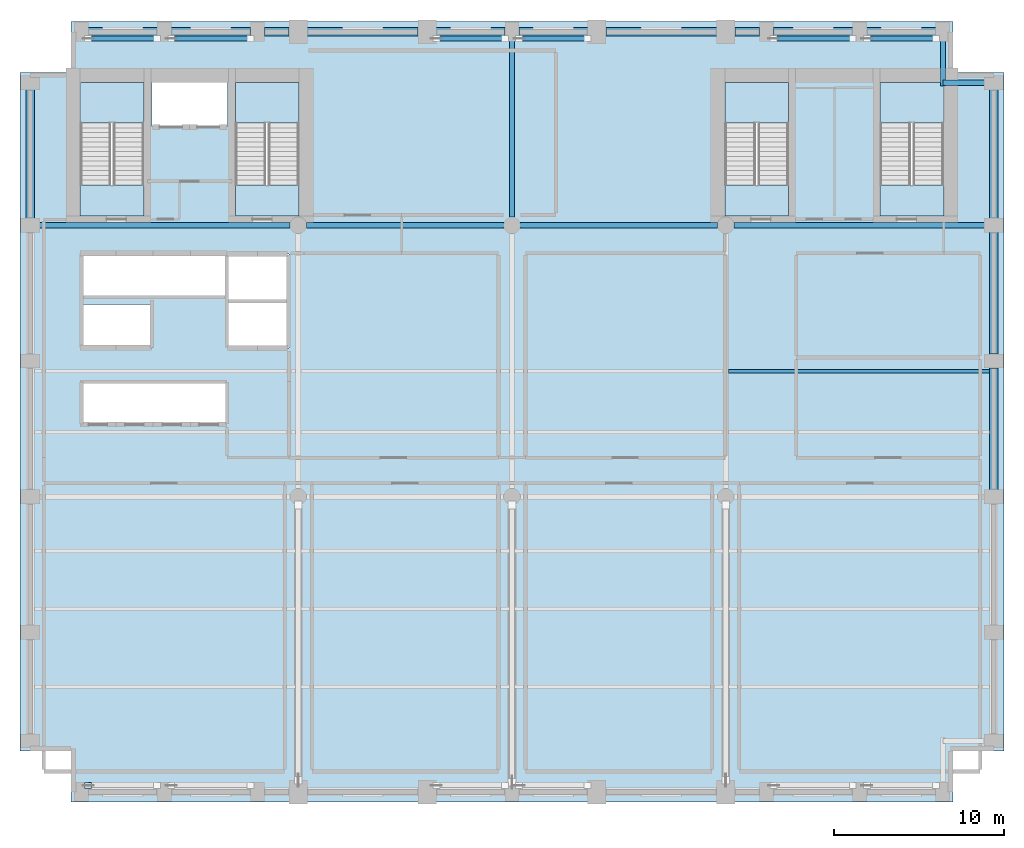
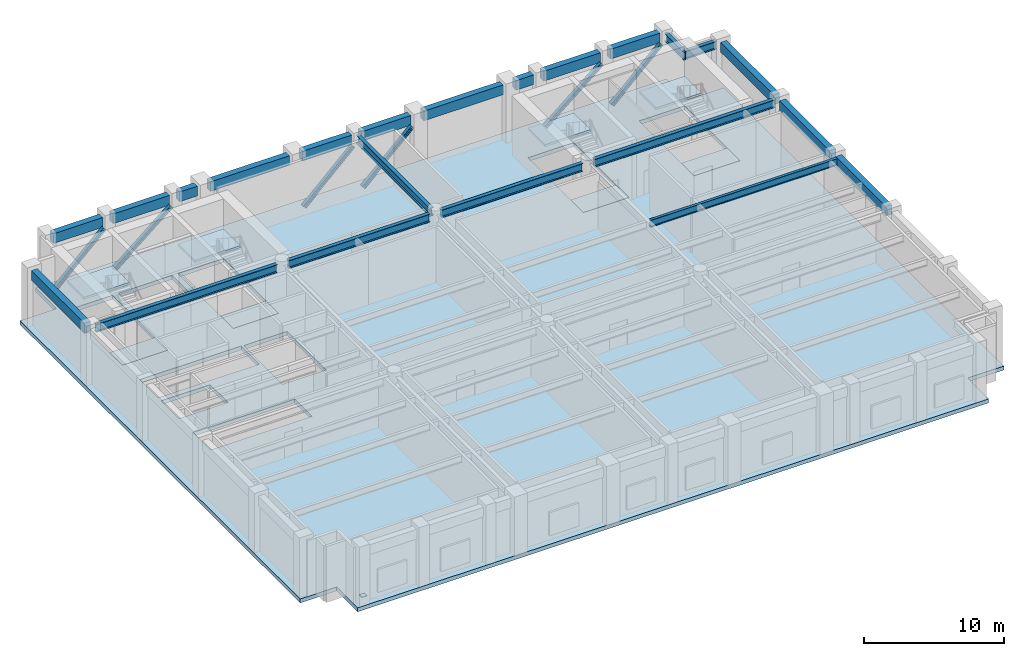
# One storey, part 2 of 11: 22 beams, 9 slabs, 6 members, 1 plate, 4 elements without a shape of their own.
"""IFC4 building model written with IfcOpenShell, lengths in metres."""

from ifc_helpers import new_model, si_unit, direction, frame, origin, origin_2d, place, context, subcontext, project, spatial, polyline, rectangle, i_section, outline, extrude, material, layer, layer_set, material_profile, profile_set, type_object, element, aggregate, save


model = new_model("IFC4")

# Units and contexts
model_context = context("Model", 3, precision=1e-05, world=origin(), true_north=direction((0.0, 1.0)))
body_context = subcontext(model_context, "Body", "Model", "MODEL_VIEW")
ifc_project = project(units=[si_unit("LENGTHUNIT", "METRE"), si_unit("AREAUNIT", "SQUARE_METRE"), si_unit("VOLUMEUNIT", "CUBIC_METRE"), si_unit("PLANEANGLEUNIT", "RADIAN"), si_unit("MASSUNIT", "GRAM", prefix="KILO")], contexts=[model_context])

# Site, building, storey
site_placement = place(None, origin())
site = spatial("IfcSite", under=ifc_project, at=site_placement, CompositionType="ELEMENT")
building_placement = place(site_placement, origin())
building = spatial("IfcBuilding", under=site, at=building_placement, Name="Sulina Concourse Tower", CompositionType="ELEMENT")
storey_placement = place(building_placement, frame((0.0, 0.0, 82.60009765625)))
storey = spatial("IfcBuildingStorey", under=building, at=storey_placement, Name="L20", CompositionType="ELEMENT", Elevation=82.60009765625)

# Beams
ifc_material_1 = material(Name="Steel S355", Category="steel")
ifc_material_profile_1 = material_profile(ifc_material_1, i_section(OverallWidth=0.219970703125, OverallDepth=0.60009765625, WebThickness=0.011962890625, FlangeThickness=0.01904296875, at=origin_2d()), Name="IPE 600")
ifc_profile_set_1 = profile_set([ifc_material_profile_1], Name="Steel S355")
beam_type_1 = type_object("IfcBeamType", Name="Composite Floor Joist IPE600", PredefinedType="JOIST", material=ifc_profile_set_1)
beam_1_placement = place(storey_placement, frame((41.75, 25.39990234375, 4.559814453125), z_axis=(1.0, 0.0, 0.0), x_axis=(0.0, 1.0, 0.0)))
element("IfcBeam", 1, at=beam_1_placement, inside=storey, type_object=beam_type_1, Name="FJ-J25-4-L20", PredefinedType="JOIST", context=body_context, shape_type="SweptSolid", body=[
    extrude(i_section(OverallWidth=0.219970703125, OverallDepth=0.60009765625, WebThickness=0.011962890625, FlangeThickness=0.01904296875, at=origin_2d()), origin(), (0.0, 0.0, 1.0), 15.39990234375),
])
ifc_material_2 = material(Name="Steel S355", Category="steel")
ifc_material_profile_2 = material_profile(ifc_material_2, i_section(OverallWidth=0.300048828125, OverallDepth=0.699951171875, WebThickness=0.01708984375, FlangeThickness=0.031982421875, at=origin_2d()), Name="HE 700 B")
ifc_profile_set_2 = profile_set([ifc_material_profile_2], Name="Steel S355")
beam_type_2 = type_object("IfcBeamType", Name="Floor Primary Girder Zone 1 HE700B", PredefinedType="BEAM", material=ifc_profile_set_2)
beam_2_placement = place(storey_placement, frame((54.39990234375, 42.39990234375, 4.510009765625), z_axis=(1.0, 0.0, 0.0), x_axis=(0.0, 1.0, 0.0)))
element("IfcBeam", 2, at=beam_2_placement, inside=storey, type_object=beam_type_2, Name="TIE-NE-L20", PredefinedType="BEAM", context=body_context, shape_type="SweptSolid", body=[
    extrude(i_section(OverallWidth=0.300048828125, OverallDepth=0.699951171875, WebThickness=0.01708984375, FlangeThickness=0.031982421875, at=origin_2d()), origin(), (0.0, 0.0, 1.0), 2.59521484375),
])
beam_3_placement = place(storey_placement, frame((54.39990234375, 42.199951171875, 4.510009765625), z_axis=(0.0, 1.0, 0.0), x_axis=(-1.0, 0.0, 0.0)))
element("IfcBeam", 3, at=beam_3_placement, inside=storey, type_object=beam_type_2, Name="TIE-NEN-L20", PredefinedType="BEAM", context=body_context, shape_type="SweptSolid", body=[
    extrude(i_section(OverallWidth=0.300048828125, OverallDepth=0.699951171875, WebThickness=0.01708984375, FlangeThickness=0.031982421875, at=origin_2d()), origin(), (0.0, 0.0, 1.0), 2.795166015625),
])
beam_4_placement = place(storey_placement, frame((1.0048828125, 34.0, 4.510009765625), z_axis=(1.0, 0.0, 0.0), x_axis=(0.0, 1.0, 0.0)))
element("IfcBeam", 4, at=beam_4_placement, inside=storey, type_object=beam_type_2, Name="FG-EWN1-L20", PredefinedType="BEAM", context=body_context, shape_type="SweptSolid", body=[
    extrude(i_section(OverallWidth=0.300048828125, OverallDepth=0.699951171875, WebThickness=0.01708984375, FlangeThickness=0.031982421875, at=origin_2d()), origin(), (0.0, 0.0, 1.0), 14.9150390625),
])
for number, where, z_axis, x_axis, name in (
    (5, (16.8798828125, 34.0, 4.510009765625), (1.0, 0.0, 0.0), (0.0, 1.0, 0.0), "FG-EWN2-L20"),
    (6, (29.47998046875, 34.0, 4.510009765625), (1.0, 0.0, 0.0), (0.0, 1.0, 0.0), "FG-EWN3-L20"),
):
    element("IfcBeam", number, at=place(storey_placement, frame(where, z_axis=z_axis, x_axis=x_axis)), inside=storey, type_object=beam_type_2, Name=name, PredefinedType="BEAM", context=body_context, shape_type="SweptSolid", body=[
        extrude(i_section(OverallWidth=0.300048828125, OverallDepth=0.699951171875, WebThickness=0.01708984375, FlangeThickness=0.031982421875, at=origin_2d()), origin(), (0.0, 0.0, 1.0), 11.64013671875),
    ])
beam_5_placement = place(storey_placement, frame((42.080078125, 34.0, 4.510009765625), z_axis=(1.0, 0.0, 0.0), x_axis=(0.0, 1.0, 0.0)))
element("IfcBeam", 7, at=beam_5_placement, inside=storey, type_object=beam_type_2, Name="FG-EWN4-L20", PredefinedType="BEAM", context=body_context, shape_type="SweptSolid", body=[
    extrude(i_section(OverallWidth=0.300048828125, OverallDepth=0.699951171875, WebThickness=0.01708984375, FlangeThickness=0.031982421875, at=origin_2d()), origin(), (0.0, 0.0, 1.0), 14.9150390625),
])
beam_6_placement = place(storey_placement, frame((29.0, 34.47998046875, 4.510009765625), z_axis=(0.0, 1.0, 0.0), x_axis=(-1.0, 0.0, 0.0)))
element("IfcBeam", 8, at=beam_6_placement, inside=storey, type_object=beam_type_2, Name="FG-NSC-29-L20", PredefinedType="BEAM", context=body_context, shape_type="SweptSolid", body=[
    extrude(i_section(OverallWidth=0.300048828125, OverallDepth=0.699951171875, WebThickness=0.01708984375, FlangeThickness=0.031982421875, at=origin_2d()), origin(), (0.0, 0.0, 1.0), 10.51513671875),
])
ifc_material_3 = material(Name="Precast concrete C50/60", Category="concrete")
ifc_material_profile_3 = material_profile(ifc_material_3, rectangle(XDim=0.5, YDim=0.85009765625, at=origin_2d()), Name="RC 500x850")
ifc_profile_set_3 = profile_set([ifc_material_profile_3], Name="Precast concrete C50/60")
beam_type_3 = type_object("IfcBeamType", Name="Lower Precast Spandrel Edge Beam 500x850", PredefinedType="BEAM", material=ifc_profile_set_3)
beam_7_placement = place(storey_placement, frame((4.0048828125, 45.39990234375, 4.434814453125), z_axis=(1.0, 0.0, 0.0), x_axis=(0.0, 1.0, 0.0)))
element("IfcBeam", 9, at=beam_7_placement, inside=storey, type_object=beam_type_3, Name="SP-N1-L20", PredefinedType="BEAM", context=body_context, shape_type="SweptSolid", body=[
    extrude(rectangle(XDim=0.5, YDim=0.85009765625, at=origin_2d()), origin(), (0.0, 0.0, 1.0), 4.090087890625),
])
beam_8_placement = place(storey_placement, frame((8.905029296875, 45.39990234375, 4.434814453125), z_axis=(1.0, 0.0, 0.0), x_axis=(0.0, 1.0, 0.0)))
element("IfcBeam", 10, at=beam_8_placement, inside=storey, type_object=beam_type_3, Name="SP-N2-L20", PredefinedType="BEAM", context=body_context, shape_type="SweptSolid", body=[
    extrude(rectangle(XDim=0.5, YDim=0.85009765625, at=origin_2d()), origin(), (0.0, 0.0, 1.0), 4.68994140625),
])
beam_9_placement = place(storey_placement, frame((14.405029296875, 45.39990234375, 4.434814453125), z_axis=(1.0, 0.0, 0.0), x_axis=(0.0, 1.0, 0.0)))
element("IfcBeam", 11, at=beam_9_placement, inside=storey, type_object=beam_type_3, Name="SP-N3-L20", PredefinedType="BEAM", context=body_context, shape_type="SweptSolid", body=[
    extrude(rectangle(XDim=0.5, YDim=0.85009765625, at=origin_2d()), origin(), (0.0, 0.0, 1.0), 1.465087890625),
])
beam_10_placement = place(storey_placement, frame((16.929931640625, 45.39990234375, 4.434814453125), z_axis=(1.0, 0.0, 0.0), x_axis=(0.0, 1.0, 0.0)))
element("IfcBeam", 12, at=beam_10_placement, inside=storey, type_object=beam_type_3, Name="SP-N4-L20", PredefinedType="BEAM", context=body_context, shape_type="SweptSolid", body=[
    extrude(rectangle(XDim=0.5, YDim=0.85009765625, at=origin_2d()), origin(), (0.0, 0.0, 1.0), 6.5400390625),
])
for number, where, z_axis, x_axis, name in (
    (13, (24.530029296875, 45.39990234375, 4.434814453125), (1.0, 0.0, 0.0), (0.0, 1.0, 0.0), "SP-N5-L20"),
    (14, (29.405029296875, 45.39990234375, 4.434814453125), (1.0, 0.0, 0.0), (0.0, 1.0, 0.0), "SP-N6-L20"),
):
    element("IfcBeam", number, at=place(storey_placement, frame(where, z_axis=z_axis, x_axis=x_axis)), inside=storey, type_object=beam_type_3, Name=name, PredefinedType="BEAM", context=body_context, shape_type="SweptSolid", body=[
        extrude(rectangle(XDim=0.5, YDim=0.85009765625, at=origin_2d()), origin(), (0.0, 0.0, 1.0), 4.06494140625),
    ])
beam_11_placement = place(storey_placement, frame((34.530029296875, 45.39990234375, 4.434814453125), z_axis=(1.0, 0.0, 0.0), x_axis=(0.0, 1.0, 0.0)))
element("IfcBeam", 15, at=beam_11_placement, inside=storey, type_object=beam_type_3, Name="SP-N7-L20", PredefinedType="BEAM", context=body_context, shape_type="SweptSolid", body=[
    extrude(rectangle(XDim=0.5, YDim=0.85009765625, at=origin_2d()), origin(), (0.0, 0.0, 1.0), 6.5400390625),
])
beam_12_placement = place(storey_placement, frame((42.1298828125, 45.39990234375, 4.434814453125), z_axis=(1.0, 0.0, 0.0), x_axis=(0.0, 1.0, 0.0)))
element("IfcBeam", 16, at=beam_12_placement, inside=storey, type_object=beam_type_3, Name="SP-N8-L20", PredefinedType="BEAM", context=body_context, shape_type="SweptSolid", body=[
    extrude(rectangle(XDim=0.5, YDim=0.85009765625, at=origin_2d()), origin(), (0.0, 0.0, 1.0), 1.465087890625),
])
beam_13_placement = place(storey_placement, frame((44.405029296875, 45.39990234375, 4.434814453125), z_axis=(1.0, 0.0, 0.0), x_axis=(0.0, 1.0, 0.0)))
element("IfcBeam", 17, at=beam_13_placement, inside=storey, type_object=beam_type_3, Name="SP-N9-L20", PredefinedType="BEAM", context=body_context, shape_type="SweptSolid", body=[
    extrude(rectangle(XDim=0.5, YDim=0.85009765625, at=origin_2d()), origin(), (0.0, 0.0, 1.0), 4.68994140625),
])
beam_14_placement = place(storey_placement, frame((49.905029296875, 45.39990234375, 4.434814453125), z_axis=(1.0, 0.0, 0.0), x_axis=(0.0, 1.0, 0.0)))
element("IfcBeam", 18, at=beam_14_placement, inside=storey, type_object=beam_type_3, Name="SP-N10-L20", PredefinedType="BEAM", context=body_context, shape_type="SweptSolid", body=[
    extrude(rectangle(XDim=0.5, YDim=0.85009765625, at=origin_2d()), origin(), (0.0, 0.0, 1.0), 4.090087890625),
])
beam_15_placement = place(storey_placement, frame((0.60009765625, 34.405029296875, 4.434814453125), z_axis=(0.0, 1.0, 0.0), x_axis=(-1.0, 0.0, 0.0)))
element("IfcBeam", 19, at=beam_15_placement, inside=storey, type_object=beam_type_3, Name="SP-W5-L20", PredefinedType="BEAM", context=body_context, shape_type="SweptSolid", body=[
    extrude(rectangle(XDim=0.5, YDim=0.85009765625, at=origin_2d()), origin(), (0.0, 0.0, 1.0), 7.590087890625),
])
for number, where, z_axis, x_axis, name in (
    (20, (57.39990234375, 18.405029296875, 4.434814453125), (0.0, 1.0, 0.0), (-1.0, 0.0, 0.0), "SP-E3-L20"),
    (21, (57.39990234375, 26.405029296875, 4.434814453125), (0.0, 1.0, 0.0), (-1.0, 0.0, 0.0), "SP-E4-L20"),
):
    element("IfcBeam", number, at=place(storey_placement, frame(where, z_axis=z_axis, x_axis=x_axis)), inside=storey, type_object=beam_type_3, Name=name, PredefinedType="BEAM", context=body_context, shape_type="SweptSolid", body=[
        extrude(rectangle(XDim=0.5, YDim=0.85009765625, at=origin_2d()), origin(), (0.0, 0.0, 1.0), 7.18994140625),
    ])
beam_16_placement = place(storey_placement, frame((57.39990234375, 34.405029296875, 4.434814453125), z_axis=(0.0, 1.0, 0.0), x_axis=(-1.0, 0.0, 0.0)))
element("IfcBeam", 22, at=beam_16_placement, inside=storey, type_object=beam_type_3, Name="SP-E5-L20", PredefinedType="BEAM", context=body_context, shape_type="SweptSolid", body=[
    extrude(rectangle(XDim=0.5, YDim=0.85009765625, at=origin_2d()), origin(), (0.0, 0.0, 1.0), 7.590087890625),
])

# Members
ifc_material_4 = material(Name="Steel S355", Category="steel")
ifc_material_profile_4 = material_profile(ifc_material_4, i_section(OverallWidth=0.300048828125, OverallDepth=0.320068359375, WebThickness=0.011474609375, FlangeThickness=0.0205078125, at=origin_2d()), Name="HE 320 B")
ifc_profile_set_4 = profile_set([ifc_material_profile_4], Name="Steel S355")
member_type = type_object("IfcMemberType", Name="Plant Belt Brace HE320B", PredefinedType="BRACE", material=ifc_profile_set_4)
member_1_placement = place(storey_placement, frame((4.014892578125, 45.02001953125, 0.14990234375), z_axis=(0.724683530795, 0.0, 0.689081838532), x_axis=(0.0, 1.0, 0.0)))
element("IfcMember", 23, at=member_1_placement, inside=storey, type_object=member_type, Name="BLT-N1-L20", PredefinedType="BRACE", context=body_context, shape_type="SweptSolid", body=[
    extrude(i_section(OverallWidth=0.300048828125, OverallDepth=0.320068359375, WebThickness=0.011474609375, FlangeThickness=0.0205078125, at=origin_2d()), origin(), (0.0, 0.0, 1.0), 5.616455078125),
])
member_2_placement = place(storey_placement, frame((8.9150390625, 45.02001953125, 0.14990234375), z_axis=(0.769960534835, 0.0, 0.638091509735), x_axis=(0.0, 1.0, 0.0)))
element("IfcMember", 24, at=member_2_placement, inside=storey, type_object=member_type, Name="BLT-N2-L20", PredefinedType="BRACE", context=body_context, shape_type="SweptSolid", body=[
    extrude(i_section(OverallWidth=0.300048828125, OverallDepth=0.320068359375, WebThickness=0.011474609375, FlangeThickness=0.0205078125, at=origin_2d()), origin(), (0.0, 0.0, 1.0), 6.065185546875),
])
for number, where, z_axis, x_axis, name in (
    (25, (24.5400390625, 45.02001953125, 0.14990234375), (0.72254713742, 0.0, 0.691321657556), (0.0, 1.0, 0.0), "BLT-N3-L20"),
    (26, (29.4150390625, 45.02001953125, 0.14990234375), (0.72254713742, 0.0, 0.691321657556), (0.0, 1.0, 0.0), "BLT-N4-L20"),
):
    element("IfcMember", number, at=place(storey_placement, frame(where, z_axis=z_axis, x_axis=x_axis)), inside=storey, type_object=member_type, Name=name, PredefinedType="BRACE", context=body_context, shape_type="SweptSolid", body=[
        extrude(i_section(OverallWidth=0.300048828125, OverallDepth=0.320068359375, WebThickness=0.011474609375, FlangeThickness=0.0205078125, at=origin_2d()), origin(), (0.0, 0.0, 1.0), 5.59814453125),
    ])
member_3_placement = place(storey_placement, frame((44.4150390625, 45.02001953125, 0.14990234375), z_axis=(0.769960534835, 0.0, 0.638091509735), x_axis=(0.0, 1.0, 0.0)))
element("IfcMember", 27, at=member_3_placement, inside=storey, type_object=member_type, Name="BLT-N5-L20", PredefinedType="BRACE", context=body_context, shape_type="SweptSolid", body=[
    extrude(i_section(OverallWidth=0.300048828125, OverallDepth=0.320068359375, WebThickness=0.011474609375, FlangeThickness=0.0205078125, at=origin_2d()), origin(), (0.0, 0.0, 1.0), 6.065185546875),
])
member_4_placement = place(storey_placement, frame((49.9150390625, 45.02001953125, 0.14990234375), z_axis=(0.724683530795, 0.0, 0.689081838532), x_axis=(0.0, 1.0, 0.0)))
element("IfcMember", 28, at=member_4_placement, inside=storey, type_object=member_type, Name="BLT-N6-L20", PredefinedType="BRACE", context=body_context, shape_type="SweptSolid", body=[
    extrude(i_section(OverallWidth=0.300048828125, OverallDepth=0.320068359375, WebThickness=0.011474609375, FlangeThickness=0.0205078125, at=origin_2d()), origin(), (0.0, 0.0, 1.0), 5.616455078125),
])

# Slabs
ifc_material_5 = material(Name="Concrete C60/75", Category="concrete")
ifc_layer_1 = layer(ifc_material_5, 0.340087890625)
ifc_layer_set_1 = layer_set([ifc_layer_1], Name="Concrete C60/75")
slab_type_1 = type_object("IfcSlabType", Name="Mechanical Plant & Sky-Lobby Slab 340mm", PredefinedType="FLOOR", material=ifc_layer_set_1)
slab_1_placement = place(storey_placement, frame((0.0, 0.0, -0.340087890625)))
element("IfcSlab", 29, at=slab_1_placement, inside=storey, type_object=slab_type_1, Name="L20 structural floor slab", PredefinedType="FLOOR", context=body_context, shape_type="SweptSolid", body=[
    extrude(outline(polyline([(3.0, 0.0), (55.0, 0.0), (55.0, 3.0), (58.0, 3.0), (58.0, 43.0), (55.0, 43.0), (55.0, 46.0), (3.0, 46.0), (3.0, 43.0), (0.0, 43.0), (0.0, 3.0), (3.0, 3.0), (3.0, 0.0)]), holes=[polyline([(7.31005859375, 34.550048828125), (7.31005859375, 42.429931640625), (3.550048828125, 42.429931640625), (3.550048828125, 34.550048828125), (7.31005859375, 34.550048828125)]), polyline([(16.449951171875, 34.550048828125), (16.449951171875, 42.429931640625), (12.68994140625, 42.429931640625), (12.68994140625, 34.550048828125), (16.449951171875, 34.550048828125)]), polyline([(45.31005859375, 34.550048828125), (45.31005859375, 42.429931640625), (41.550048828125, 42.429931640625), (41.550048828125, 34.550048828125), (45.31005859375, 34.550048828125)]), polyline([(54.449951171875, 34.550048828125), (54.449951171875, 42.429931640625), (50.68994140625, 42.429931640625), (50.68994140625, 34.550048828125), (54.449951171875, 34.550048828125)]), polyline([(7.780029296875, 39.830078125), (12.219970703125, 39.830078125), (12.219970703125, 42.449951171875), (7.780029296875, 42.449951171875), (7.780029296875, 39.830078125)]), polyline([(3.739990234375, 26.780029296875), (7.77001953125, 26.780029296875), (7.77001953125, 29.320068359375), (3.739990234375, 29.320068359375), (3.739990234375, 26.780029296875)]), polyline([(3.739990234375, 29.780029296875), (12.10009765625, 29.780029296875), (12.10009765625, 32.3701171875), (3.739990234375, 32.3701171875), (3.739990234375, 29.780029296875)]), polyline([(3.739990234375, 22.280029296875), (12.10009765625, 22.280029296875), (12.10009765625, 24.77001953125), (3.739990234375, 24.77001953125), (3.739990234375, 22.280029296875)]), polyline([(12.280029296875, 26.780029296875), (15.85009765625, 26.780029296875), (15.85009765625, 32.320068359375), (12.280029296875, 32.320068359375), (12.280029296875, 26.780029296875)])]), origin(), (0.0, 0.0, 1.0), 0.340087890625),
])
ifc_material_6 = material(Name="Concrete C50/60", Category="concrete")
ifc_layer_2 = layer(ifc_material_6, 0.199951171875)
ifc_layer_set_2 = layer_set([ifc_layer_2], Name="Concrete C50/60")
slab_type_2 = type_object("IfcSlabType", Name="Primary Core Stair Landing Slab 200mm", PredefinedType="LANDING", material=ifc_layer_set_2)
slab_2_placement = place(storey_placement, frame((0.0, 0.0, -0.2001953125)))
element("IfcSlab", 30, at=slab_2_placement, inside=storey, type_object=slab_type_2, Name="L20 ST-1 floor landing slab", PredefinedType="LANDING", context=body_context, shape_type="SweptSolid", body=[
    extrude(outline(polyline([(7.31005859375, 34.550048828125), (7.31005859375, 36.375), (3.550048828125, 36.375), (3.550048828125, 34.550048828125), (7.31005859375, 34.550048828125)])), origin(), (0.0, 0.0, 1.0), 0.2001953125),
])
slab_3_placement = place(storey_placement, frame((0.0, 0.0, -0.2001953125)))
element("IfcSlab", 31, at=slab_3_placement, inside=storey, type_object=slab_type_2, Name="L20 ST-2 floor landing slab", PredefinedType="LANDING", context=body_context, shape_type="SweptSolid", body=[
    extrude(outline(polyline([(16.449951171875, 34.550048828125), (16.449951171875, 36.375), (12.68994140625, 36.375), (12.68994140625, 34.550048828125), (16.449951171875, 34.550048828125)])), origin(), (0.0, 0.0, 1.0), 0.2001953125),
])
slab_4_placement = place(storey_placement, frame((0.0, 0.0, -0.2001953125)))
element("IfcSlab", 32, at=slab_4_placement, inside=storey, type_object=slab_type_2, Name="L20 ST-3 floor landing slab", PredefinedType="LANDING", context=body_context, shape_type="SweptSolid", body=[
    extrude(outline(polyline([(45.31005859375, 34.550048828125), (45.31005859375, 36.375), (41.550048828125, 36.375), (41.550048828125, 34.550048828125), (45.31005859375, 34.550048828125)])), origin(), (0.0, 0.0, 1.0), 0.2001953125),
])
slab_5_placement = place(storey_placement, frame((0.0, 0.0, -0.2001953125)))
element("IfcSlab", 33, at=slab_5_placement, inside=storey, type_object=slab_type_2, Name="L20 ST-4 floor landing slab", PredefinedType="LANDING", context=body_context, shape_type="SweptSolid", body=[
    extrude(outline(polyline([(54.449951171875, 34.550048828125), (54.449951171875, 36.375), (50.68994140625, 36.375), (50.68994140625, 34.550048828125), (54.449951171875, 34.550048828125)])), origin(), (0.0, 0.0, 1.0), 0.2001953125),
])

# Stair, slab
ifc_material_7 = material(Name="Concrete C50/60", Category="concrete")
stair_type_1 = type_object("IfcStairType", Name="Primary Core Dog-Leg Exit Stair 1800mm", PredefinedType="HALF_TURN_STAIR", material=ifc_material_7)
stair_1_placement = place(storey_placement, origin())
stair_1 = element("IfcStair", 34, at=stair_1_placement, inside=storey, type_object=stair_type_1, Name="L20 ST-1", PredefinedType="HALF_TURN_STAIR")
slab_6_placement = place(storey_placement, frame((0.0, 0.0, 2.39990234375)))
slab_6 = element("IfcSlab", 35, at=slab_6_placement, type_object=slab_type_2, Name="ST-1 landing 1", PredefinedType="LANDING", context=body_context, shape_type="SweptSolid", body=[
    extrude(outline(polyline([(7.304931640625, 40.014892578125), (7.304931640625, 42.425048828125), (3.554931640625, 42.425048828125), (3.554931640625, 40.014892578125), (7.304931640625, 40.014892578125)])), origin(), (0.0, 0.0, 1.0), 0.199951171875),
])
aggregate(stair_1, [slab_6])

stair_2_placement = place(storey_placement, origin())
stair_2 = element("IfcStair", 36, at=stair_2_placement, inside=storey, type_object=stair_type_1, Name="L20 ST-2", PredefinedType="HALF_TURN_STAIR")
slab_7_placement = place(storey_placement, frame((0.0, 0.0, 2.39990234375)))
slab_7 = element("IfcSlab", 37, at=slab_7_placement, type_object=slab_type_2, Name="ST-2 landing 1", PredefinedType="LANDING", context=body_context, shape_type="SweptSolid", body=[
    extrude(outline(polyline([(16.445068359375, 40.014892578125), (16.445068359375, 42.425048828125), (12.695068359375, 42.425048828125), (12.695068359375, 40.014892578125), (16.445068359375, 40.014892578125)])), origin(), (0.0, 0.0, 1.0), 0.199951171875),
])
aggregate(stair_2, [slab_7])

ifc_material_8 = material(Name="Concrete C50/60", Category="concrete")
stair_type_2 = type_object("IfcStairType", Name="Portal & Podium Core Exit Stair 1820mm", PredefinedType="HALF_TURN_STAIR", material=ifc_material_8)
stair_3_placement = place(storey_placement, origin())
stair_3 = element("IfcStair", 38, at=stair_3_placement, inside=storey, type_object=stair_type_2, Name="L20 ST-3", PredefinedType="HALF_TURN_STAIR")
slab_8_placement = place(storey_placement, frame((0.0, 0.0, 2.39990234375)))
slab_8 = element("IfcSlab", 39, at=slab_8_placement, type_object=slab_type_2, Name="ST-3 landing 1", PredefinedType="LANDING", context=body_context, shape_type="SweptSolid", body=[
    extrude(outline(polyline([(45.304931640625, 40.014892578125), (45.304931640625, 42.425048828125), (41.554931640625, 42.425048828125), (41.554931640625, 40.014892578125), (45.304931640625, 40.014892578125)])), origin(), (0.0, 0.0, 1.0), 0.199951171875),
])
aggregate(stair_3, [slab_8])

stair_4_placement = place(storey_placement, origin())
stair_4 = element("IfcStair", 40, at=stair_4_placement, inside=storey, type_object=stair_type_2, Name="L20 ST-4", PredefinedType="HALF_TURN_STAIR")
slab_9_placement = place(storey_placement, frame((0.0, 0.0, 2.39990234375)))
slab_9 = element("IfcSlab", 41, at=slab_9_placement, type_object=slab_type_2, Name="ST-4 landing 1", PredefinedType="LANDING", context=body_context, shape_type="SweptSolid", body=[
    extrude(outline(polyline([(54.445068359375, 40.014892578125), (54.445068359375, 42.425048828125), (50.695068359375, 42.425048828125), (50.695068359375, 40.014892578125), (54.445068359375, 40.014892578125)])), origin(), (0.0, 0.0, 1.0), 0.199951171875),
])
aggregate(stair_4, [slab_9])

# Plate
ifc_material_9 = material(Name="Steel S355", Category="steel")
ifc_layer_3 = layer(ifc_material_9, 0.02001953125)
ifc_layer_set_3 = layer_set([ifc_layer_3], Name="Steel S355")
plate_type = type_object("IfcPlateType", Name="Upper Hollow Brace End-Cap Plate 20mm", PredefinedType="USERDEFINED", material=ifc_layer_set_3)
plate_placement = place(storey_placement, frame((4.014892578125, 0.97998046875, 0.139892578125), z_axis=(0.0, 0.0, 1.0), x_axis=(1.0, 0.0, 0.0)))
element("IfcPlate", 42, at=plate_placement, inside=storey, type_object=plate_type, Name="BLT-S1-L20 end cap plate 1", ObjectType="CAP_PLATE", PredefinedType="USERDEFINED", context=body_context, shape_type="SweptSolid", body=[
    extrude(rectangle(XDim=0.409912109375, YDim=0.360107421875, at=origin_2d()), origin(), (0.0, 0.0, 1.0), 0.02001953125),
])

save(model, "model.ifc")
